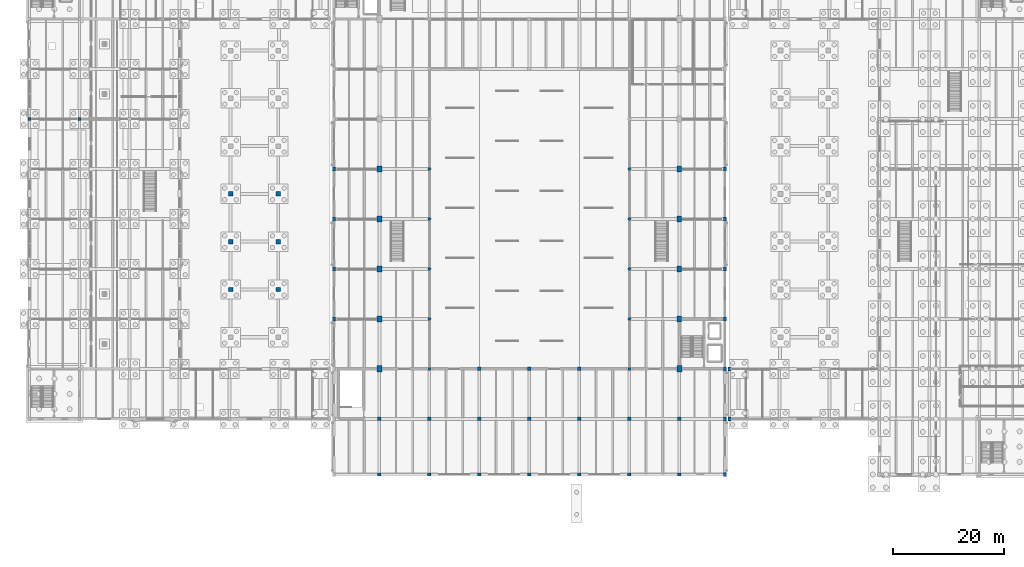
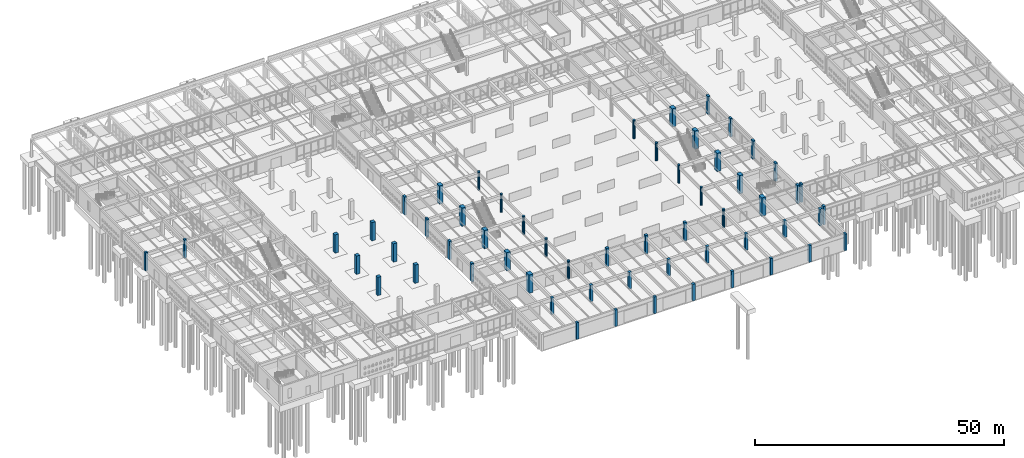
# One storey, part 10 of 186: 58 columns.
"""IFC4 building model written with IfcOpenShell, lengths in metres."""

from ifc_helpers import new_model, si_unit, direction, frame, origin, origin_2d, place, context, subcontext, project, spatial, rectangle, circle, extrude, material, material_profile, profile_set, type_object, element, save


model = new_model("IFC4")

# Units and contexts
model_context = context("Model", 3, precision=1e-05, world=origin(), true_north=direction((0.0, 1.0)))
body_context = subcontext(model_context, "Body", "Model", "MODEL_VIEW")
ifc_project = project(units=[si_unit("LENGTHUNIT", "METRE"), si_unit("AREAUNIT", "SQUARE_METRE"), si_unit("VOLUMEUNIT", "CUBIC_METRE"), si_unit("PLANEANGLEUNIT", "RADIAN"), si_unit("MASSUNIT", "GRAM", prefix="KILO")], contexts=[model_context])

# Site, building, storey
site_placement = place(None, origin())
site = spatial("IfcSite", under=ifc_project, at=site_placement, CompositionType="ELEMENT")
building_placement = place(site_placement, origin())
building = spatial("IfcBuilding", under=site, at=building_placement, Name="Ornek Quay Market", CompositionType="ELEMENT")
storey_placement = place(building_placement, origin())
storey = spatial("IfcBuildingStorey", under=building, at=storey_placement, Name="L00", CompositionType="ELEMENT", Elevation=0.0)

# Columns
ifc_material_1 = material(Name="Concrete C45/55", Category="concrete")
ifc_material_profile_1 = material_profile(ifc_material_1, rectangle(XDim=0.85009765625, YDim=1.10009765625, at=origin_2d()), Name="RC 850x1100", Category="concrete")
ifc_profile_set_1 = profile_set([ifc_material_profile_1], Name="Concrete C45/55")
column_type_1 = type_object("IfcColumnType", Name="COL-ARCH-850x1100", PredefinedType="COLUMN", material=ifc_profile_set_1)
for number, where, z_axis, x_axis, name in (
    (1, (63.0, 38.0, 0.0), (0.0, 0.0, 1.0), (1.0, 0.0, 0.0), "Column C-AR2-001"),
    (2, (63.0, 47.0, 0.0), (0.0, 0.0, 1.0), (1.0, 0.0, 0.0), "Column C-AR2-004"),
    (3, (63.0, 56.0, 0.0), (0.0, 0.0, 1.0), (1.0, 0.0, 0.0), "Column C-AR2-007"),
    (4, (63.0, 65.0, 0.0), (0.0, 0.0, 1.0), (1.0, 0.0, 0.0), "Column C-AR2-010"),
    (5, (117.0, 38.0, 0.0), (0.0, 0.0, 1.0), (1.0, 0.0, 0.0), "Column C-AR2-019"),
    (6, (117.0, 47.0, 0.0), (0.0, 0.0, 1.0), (1.0, 0.0, 0.0), "Column C-AR2-022"),
    (7, (117.0, 56.0, 0.0), (0.0, 0.0, 1.0), (1.0, 0.0, 0.0), "Column C-AR2-025"),
    (8, (117.0, 65.0, 0.0), (0.0, 0.0, 1.0), (1.0, 0.0, 0.0), "Column C-AR2-028"),
):
    element("IfcColumn", number, at=place(storey_placement, frame(where, z_axis=z_axis, x_axis=x_axis)), inside=storey, type_object=column_type_1, Name=name, PredefinedType="COLUMN", context=body_context, shape_type="SweptSolid", body=[
        extrude(rectangle(XDim=0.85009765625, YDim=1.10009765625, at=origin_2d()), origin(), (0.0, 0.0, 1.0), 4.5),
    ])
ifc_material_profile_2 = material_profile(ifc_material_1, rectangle(XDim=0.89990234375, YDim=1.199951171875, at=origin_2d()), Name="RC 900x1200", Category="concrete")
ifc_profile_set_2 = profile_set([ifc_material_profile_2], Name="Concrete C45/55")
column_type_2 = type_object("IfcColumnType", Name="COL-ARCH-900x1200", PredefinedType="COLUMN", material=ifc_profile_set_2)
for number, where, z_axis, x_axis, name in (
    (9, (63.0, 29.0, 0.0), (0.0, 0.0, 1.0), (1.0, 0.0, 0.0), "Column C-AR1-002"),
    (10, (117.0, 29.0, 0.0), (0.0, 0.0, 1.0), (1.0, 0.0, 0.0), "Column C-AR1-016"),
):
    element("IfcColumn", number, at=place(storey_placement, frame(where, z_axis=z_axis, x_axis=x_axis)), inside=storey, type_object=column_type_2, Name=name, PredefinedType="COLUMN", context=body_context, shape_type="SweptSolid", body=[
        extrude(rectangle(XDim=0.89990234375, YDim=1.199951171875, at=origin_2d()), origin(), (0.0, 0.0, 1.0), 4.5),
    ])
ifc_material_2 = material(Name="Concrete C40/50", Category="concrete")
ifc_material_profile_3 = material_profile(ifc_material_2, circle(Radius=0.27490234375, at=origin_2d()), Name="RC D550", Category="concrete")
ifc_profile_set_3 = profile_set([ifc_material_profile_3], Name="Concrete C40/50")
column_type_3 = type_object("IfcColumnType", Name="COL-GAL-D550", PredefinedType="COLUMN", material=ifc_profile_set_3)
for number, where, z_axis, x_axis, name in (
    (11, (72.0, 29.0, 0.0), (0.0, 0.0, 1.0), (1.0, 0.0, 0.0), "Column C-GD1-001"),
    (12, (72.0, 38.0, 0.0), (0.0, 0.0, 1.0), (1.0, 0.0, 0.0), "Column C-GD1-003"),
    (13, (72.0, 47.0, 0.0), (0.0, 0.0, 1.0), (1.0, 0.0, 0.0), "Column C-GD1-005"),
    (14, (72.0, 56.0, 0.0), (0.0, 0.0, 1.0), (1.0, 0.0, 0.0), "Column C-GD1-007"),
    (15, (72.0, 65.0, 0.0), (0.0, 0.0, 1.0), (1.0, 0.0, 0.0), "Column C-GD1-009"),
    (16, (108.0, 29.0, 0.0), (0.0, 0.0, 1.0), (1.0, 0.0, 0.0), "Column C-GD1-017"),
    (17, (108.0, 38.0, 0.0), (0.0, 0.0, 1.0), (1.0, 0.0, 0.0), "Column C-GD1-019"),
    (18, (108.0, 47.0, 0.0), (0.0, 0.0, 1.0), (1.0, 0.0, 0.0), "Column C-GD1-021"),
    (19, (108.0, 56.0, 0.0), (0.0, 0.0, 1.0), (1.0, 0.0, 0.0), "Column C-GD1-023"),
    (20, (108.0, 65.0, 0.0), (0.0, 0.0, 1.0), (1.0, 0.0, 0.0), "Column C-GD1-025"),
):
    element("IfcColumn", number, at=place(storey_placement, frame(where, z_axis=z_axis, x_axis=x_axis)), inside=storey, type_object=column_type_3, Name=name, PredefinedType="COLUMN", context=body_context, shape_type="SweptSolid", body=[
        extrude(circle(Radius=0.27490234375, at=origin_2d()), origin(), (0.0, 0.0, 1.0), 4.5),
    ])
ifc_material_profile_4 = material_profile(ifc_material_2, rectangle(XDim=0.5, YDim=0.75, at=origin_2d()), Name="RC 500x750", Category="concrete")
ifc_profile_set_4 = profile_set([ifc_material_profile_4], Name="Concrete C40/50")
column_type_4 = type_object("IfcColumnType", Name="COL-MJ-500x750", PredefinedType="COLUMN", material=ifc_profile_set_4)
for number, where, z_axis, x_axis, name in (
    (21, (54.800048828125, 38.0, 0.0), (0.0, 0.0, 1.0), (1.0, 0.0, 0.0), "Column C-MJ1-013"),
    (22, (54.800048828125, 47.0, 0.0), (0.0, 0.0, 1.0), (1.0, 0.0, 0.0), "Column C-MJ1-015"),
    (23, (54.800048828125, 56.0, 0.0), (0.0, 0.0, 1.0), (1.0, 0.0, 0.0), "Column C-MJ1-017"),
    (24, (54.800048828125, 65.0, 0.0), (0.0, 0.0, 1.0), (1.0, 0.0, 0.0), "Column C-MJ1-019"),
):
    element("IfcColumn", number, at=place(storey_placement, frame(where, z_axis=z_axis, x_axis=x_axis)), inside=storey, type_object=column_type_4, Name=name, PredefinedType="COLUMN", context=body_context, shape_type="SweptSolid", body=[
        extrude(rectangle(XDim=0.5, YDim=0.75, at=origin_2d()), origin(), (0.0, 0.0, 1.0), 4.5),
    ])
for number, where, z_axis, x_axis, name in (
    (25, (125.199951171875, 10.0, 0.0), (0.0, 0.0, 1.0), (1.0, 0.0, 0.0), "Column C-MJ1-032"),
    (26, (125.199951171875, 20.0, 0.0), (0.0, 0.0, 1.0), (1.0, 0.0, 0.0), "Column C-MJ1-034"),
):
    element("IfcColumn", number, at=place(storey_placement, frame(where, z_axis=z_axis, x_axis=x_axis)), inside=storey, type_object=column_type_4, Name=name, PredefinedType="COLUMN", context=body_context, shape_type="SweptSolid", body=[
        extrude(rectangle(XDim=0.5, YDim=0.75, at=origin_2d()), origin(), (0.0, 0.0, 1.0), 4.06005859375),
    ])
for number, where, z_axis, x_axis, name in (
    (27, (125.199951171875, 29.0, 0.0), (0.0, 0.0, 1.0), (1.0, 0.0, 0.0), "Column C-MJ1-036"),
    (28, (125.199951171875, 38.0, 0.0), (0.0, 0.0, 1.0), (1.0, 0.0, 0.0), "Column C-MJ1-038"),
    (29, (125.199951171875, 47.0, 0.0), (0.0, 0.0, 1.0), (1.0, 0.0, 0.0), "Column C-MJ1-040"),
    (30, (125.199951171875, 56.0, 0.0), (0.0, 0.0, 1.0), (1.0, 0.0, 0.0), "Column C-MJ1-042"),
    (31, (125.199951171875, 65.0, 0.0), (0.0, 0.0, 1.0), (1.0, 0.0, 0.0), "Column C-MJ1-044"),
    (32, (126.0, 20.0, 0.0), (0.0, 0.0, 1.0), (1.0, 0.0, 0.0), "Column C-MJ1-056"),
    (33, (126.0, 29.0, 0.0), (0.0, 0.0, 1.0), (1.0, 0.0, 0.0), "Column C-MJ1-057"),
):
    element("IfcColumn", number, at=place(storey_placement, frame(where, z_axis=z_axis, x_axis=x_axis)), inside=storey, type_object=column_type_4, Name=name, PredefinedType="COLUMN", context=body_context, shape_type="SweptSolid", body=[
        extrude(rectangle(XDim=0.5, YDim=0.75, at=origin_2d()), origin(), (0.0, 0.0, 1.0), 4.5),
    ])
ifc_material_profile_5 = material_profile(ifc_material_2, rectangle(XDim=0.550048828125, YDim=0.550048828125, at=origin_2d()), Name="RC 550x550", Category="concrete")
ifc_profile_set_5 = profile_set([ifc_material_profile_5], Name="Concrete C40/50")
column_type_5 = type_object("IfcColumnType", Name="COL-RC-550x550", PredefinedType="COLUMN", material=ifc_profile_set_5)
for number, where, z_axis, x_axis, name in (
    (34, (0.0, 74.0, 0.0), (0.0, 0.0, 1.0), (1.0, 0.0, 0.0), "Column C-55-007"),
    (35, (9.0, 74.0, 0.0), (0.0, 0.0, 1.0), (1.0, 0.0, 0.0), "Column C-55-018"),
):
    element("IfcColumn", number, at=place(storey_placement, frame(where, z_axis=z_axis, x_axis=x_axis)), inside=storey, type_object=column_type_5, Name=name, PredefinedType="COLUMN", context=body_context, shape_type="SweptSolid", body=[
        extrude(rectangle(XDim=0.550048828125, YDim=0.550048828125, at=origin_2d()), origin(), (0.0, 0.0, 1.0), 4.5),
    ])
ifc_material_profile_6 = material_profile(ifc_material_2, rectangle(XDim=0.60009765625, YDim=0.60009765625, at=origin_2d()), Name="RC 600x600", Category="concrete")
ifc_profile_set_6 = profile_set([ifc_material_profile_6], Name="Concrete C40/50")
column_type_6 = type_object("IfcColumnType", Name="COL-RC-600x600", PredefinedType="COLUMN", material=ifc_profile_set_6)
for number, where, z_axis, x_axis, name in (
    (36, (63.0, 10.0, 0.0), (0.0, 0.0, 1.0), (1.0, 0.0, 0.0), "Column C-60-001"),
    (37, (63.0, 20.0, 0.0), (0.0, 0.0, 1.0), (1.0, 0.0, 0.0), "Column C-60-002"),
    (38, (72.0, 10.0, 0.0), (0.0, 0.0, 1.0), (1.0, 0.0, 0.0), "Column C-60-003"),
    (39, (72.0, 20.0, 0.0), (0.0, 0.0, 1.0), (1.0, 0.0, 0.0), "Column C-60-004"),
    (40, (81.0, 10.0, 0.0), (0.0, 0.0, 1.0), (1.0, 0.0, 0.0), "Column C-60-005"),
    (41, (81.0, 20.0, 0.0), (0.0, 0.0, 1.0), (1.0, 0.0, 0.0), "Column C-60-006"),
):
    element("IfcColumn", number, at=place(storey_placement, frame(where, z_axis=z_axis, x_axis=x_axis)), inside=storey, type_object=column_type_6, Name=name, PredefinedType="COLUMN", context=body_context, shape_type="SweptSolid", body=[
        extrude(rectangle(XDim=0.60009765625, YDim=0.60009765625, at=origin_2d()), origin(), (0.0, 0.0, 1.0), 4.06005859375),
    ])
column_1_placement = place(storey_placement, frame((81.0, 29.0, 0.0), z_axis=(0.0, 0.0, 1.0), x_axis=(1.0, 0.0, 0.0)))
element("IfcColumn", 42, at=column_1_placement, inside=storey, type_object=column_type_6, Name="Column C-60-007", PredefinedType="COLUMN", context=body_context, shape_type="SweptSolid", body=[
    extrude(rectangle(XDim=0.60009765625, YDim=0.60009765625, at=origin_2d()), origin(), (0.0, 0.0, 1.0), 4.5),
])
for number, where, z_axis, x_axis, name in (
    (43, (90.0, 10.0, 0.0), (0.0, 0.0, 1.0), (1.0, 0.0, 0.0), "Column C-60-010"),
    (44, (90.0, 20.0, 0.0), (0.0, 0.0, 1.0), (1.0, 0.0, 0.0), "Column C-60-011"),
):
    element("IfcColumn", number, at=place(storey_placement, frame(where, z_axis=z_axis, x_axis=x_axis)), inside=storey, type_object=column_type_6, Name=name, PredefinedType="COLUMN", context=body_context, shape_type="SweptSolid", body=[
        extrude(rectangle(XDim=0.60009765625, YDim=0.60009765625, at=origin_2d()), origin(), (0.0, 0.0, 1.0), 4.06005859375),
    ])
column_2_placement = place(storey_placement, frame((90.0, 29.0, 0.0), z_axis=(0.0, 0.0, 1.0), x_axis=(1.0, 0.0, 0.0)))
element("IfcColumn", 45, at=column_2_placement, inside=storey, type_object=column_type_6, Name="Column C-60-012", PredefinedType="COLUMN", context=body_context, shape_type="SweptSolid", body=[
    extrude(rectangle(XDim=0.60009765625, YDim=0.60009765625, at=origin_2d()), origin(), (0.0, 0.0, 1.0), 4.5),
])
for number, where, z_axis, x_axis, name in (
    (46, (99.0, 10.0, 0.0), (0.0, 0.0, 1.0), (1.0, 0.0, 0.0), "Column C-60-015"),
    (47, (99.0, 20.0, 0.0), (0.0, 0.0, 1.0), (1.0, 0.0, 0.0), "Column C-60-016"),
):
    element("IfcColumn", number, at=place(storey_placement, frame(where, z_axis=z_axis, x_axis=x_axis)), inside=storey, type_object=column_type_6, Name=name, PredefinedType="COLUMN", context=body_context, shape_type="SweptSolid", body=[
        extrude(rectangle(XDim=0.60009765625, YDim=0.60009765625, at=origin_2d()), origin(), (0.0, 0.0, 1.0), 4.06005859375),
    ])
column_3_placement = place(storey_placement, frame((99.0, 29.0, 0.0), z_axis=(0.0, 0.0, 1.0), x_axis=(1.0, 0.0, 0.0)))
element("IfcColumn", 48, at=column_3_placement, inside=storey, type_object=column_type_6, Name="Column C-60-017", PredefinedType="COLUMN", context=body_context, shape_type="SweptSolid", body=[
    extrude(rectangle(XDim=0.60009765625, YDim=0.60009765625, at=origin_2d()), origin(), (0.0, 0.0, 1.0), 4.5),
])
for number, where, z_axis, x_axis, name in (
    (49, (108.0, 10.0, 0.0), (0.0, 0.0, 1.0), (1.0, 0.0, 0.0), "Column C-60-020"),
    (50, (108.0, 20.0, 0.0), (0.0, 0.0, 1.0), (1.0, 0.0, 0.0), "Column C-60-021"),
    (51, (117.0, 10.0, 0.0), (0.0, 0.0, 1.0), (1.0, 0.0, 0.0), "Column C-60-022"),
    (52, (117.0, 20.0, 0.0), (0.0, 0.0, 1.0), (1.0, 0.0, 0.0), "Column C-60-023"),
):
    element("IfcColumn", number, at=place(storey_placement, frame(where, z_axis=z_axis, x_axis=x_axis)), inside=storey, type_object=column_type_6, Name=name, PredefinedType="COLUMN", context=body_context, shape_type="SweptSolid", body=[
        extrude(rectangle(XDim=0.60009765625, YDim=0.60009765625, at=origin_2d()), origin(), (0.0, 0.0, 1.0), 4.06005859375),
    ])
ifc_material_profile_7 = material_profile(ifc_material_2, rectangle(XDim=0.800048828125, YDim=0.800048828125, at=origin_2d()), Name="RC 800x800", Category="concrete")
ifc_profile_set_7 = profile_set([ifc_material_profile_7], Name="Concrete C40/50")
column_type_7 = type_object("IfcColumnType", Name="COL-UMB-800x800", PredefinedType="COLUMN", material=ifc_profile_set_7)
for number, where, z_axis, x_axis, name in (
    (53, (36.199951171875, 43.300048828125, 0.0), (0.0, 0.0, 1.0), (1.0, 0.0, 0.0), "Umbrella column UMB-W02 (L00)"),
    (54, (36.199951171875, 51.89990234375, 0.0), (0.0, 0.0, 1.0), (1.0, 0.0, 0.0), "Umbrella column UMB-W03 (L00)"),
    (55, (36.199951171875, 60.5, 0.0), (0.0, 0.0, 1.0), (1.0, 0.0, 0.0), "Umbrella column UMB-W04 (L00)"),
    (56, (44.800048828125, 43.300048828125, 0.0), (0.0, 0.0, 1.0), (1.0, 0.0, 0.0), "Umbrella column UMB-W09 (L00)"),
    (57, (44.800048828125, 51.89990234375, 0.0), (0.0, 0.0, 1.0), (1.0, 0.0, 0.0), "Umbrella column UMB-W10 (L00)"),
    (58, (44.800048828125, 60.5, 0.0), (0.0, 0.0, 1.0), (1.0, 0.0, 0.0), "Umbrella column UMB-W11 (L00)"),
):
    element("IfcColumn", number, at=place(storey_placement, frame(where, z_axis=z_axis, x_axis=x_axis)), inside=storey, type_object=column_type_7, Name=name, PredefinedType="COLUMN", context=body_context, shape_type="SweptSolid", body=[
        extrude(rectangle(XDim=0.800048828125, YDim=0.800048828125, at=origin_2d()), origin(), (0.0, 0.0, 1.0), 4.5),
    ])

save(model, "model.ifc")
